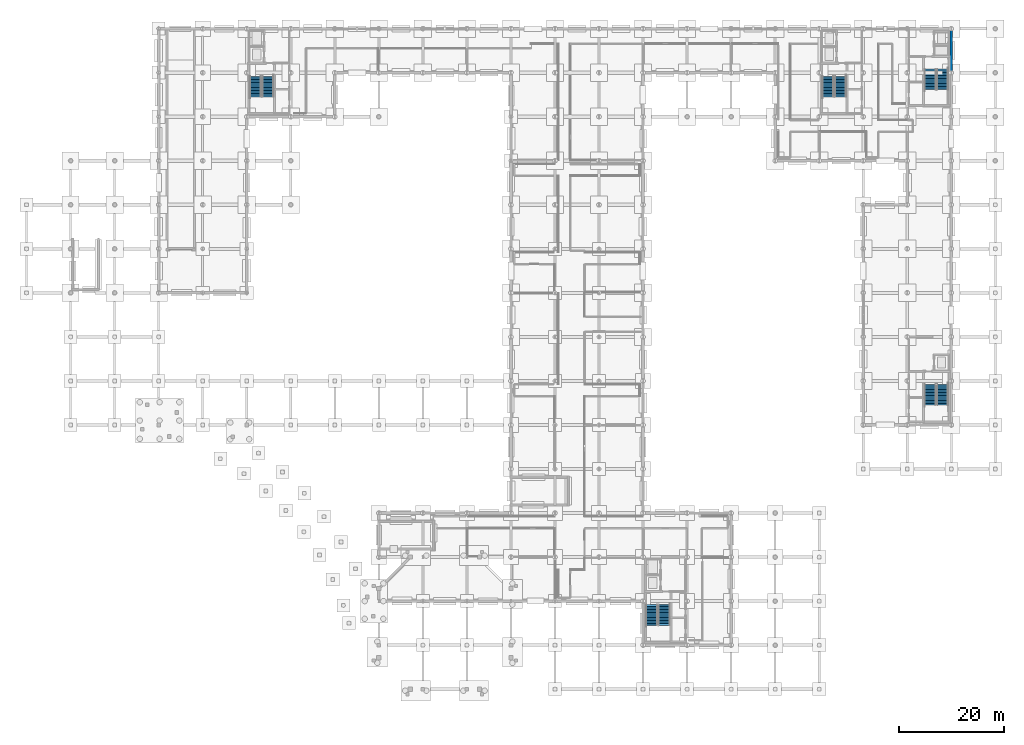
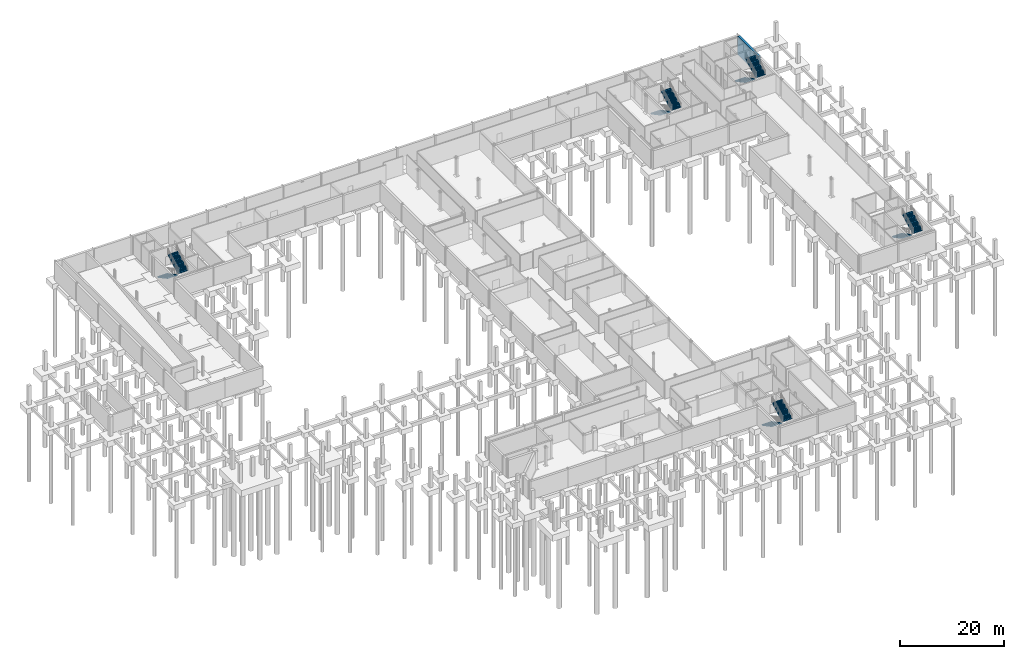
# One storey, part 34 of 43: 10 stair flights, 1 wall, 5 elements without a shape of their own.
"""IFC4 building model written with IfcOpenShell, lengths in metres."""

import ifcopenshell
import ifcopenshell.guid

model = None  # the IFC model being written
_history = None  # IfcOwnerHistory: only IFC2X3 demands one
_inside = {}  # id of a spatial element -> (the spatial element, [elements in it])
_under = {}  # id of a project, library or spatial element -> (it, [spatial elements below it])
_declared = {}  # id of a project -> (the project, [libraries it declares])
_typed = {}  # id of a type object -> (the type object, [elements of that type])
_made_of = {}  # id of a material, layer set ... -> (it, [elements and type objects made of it])


def new_model(schema):
    """Start an empty IFC model of exactly this schema.

    Asked for "IFC4X3", IfcOpenShell would pick the latest addendum, in which some entities
    have other attributes; the version numbers below select the first issue.
    IFC2X3 requires an IfcOwnerHistory on every rooted entity: one is made here for all.
    """
    global model, _history
    if schema == "IFC4X3":
        model = ifcopenshell.file(schema_version=(4, 3, 0, 0))
    else:
        model = ifcopenshell.file(schema=schema)
    _inside.clear()
    _under.clear()
    _declared.clear()
    _typed.clear()
    _made_of.clear()
    _history = None
    if model.schema == "IFC2X3":
        org = make("IfcOrganization", Name="unknown")
        user = make(
            "IfcPersonAndOrganization",
            ThePerson=make("IfcPerson", FamilyName="unknown"),
            TheOrganization=org,
        )
        app = make(
            "IfcApplication",
            ApplicationDeveloper=org,
            Version="unknown",
            ApplicationFullName="unknown",
            ApplicationIdentifier="unknown",
        )
        _history = make(
            "IfcOwnerHistory",
            OwningUser=user,
            OwningApplication=app,
            ChangeAction="ADDED",
            CreationDate=0,
        )
    return model


def make(cls, **values):
    """One entity of the class cls with the attributes given. An attribute that is None is left unset."""
    return model.create_entity(
        cls, **{name: value for name, value in values.items() if value is not None}
    )


def rooted(cls, **values):
    """An entity with a GlobalId (a new one), such as an element, a storey or a relation."""
    return make(cls, GlobalId=ifcopenshell.guid.new(), OwnerHistory=_history, **values)


def si_unit(unit_type, name, prefix=None):
    """IfcSIUnit, for example si_unit("LENGTHUNIT", "METRE", prefix="MILLI")."""
    return make("IfcSIUnit", UnitType=unit_type, Prefix=prefix, Name=name)


def assignment(units):
    """IfcUnitAssignment: the units of a project."""
    return None if units is None else make("IfcUnitAssignment", Units=units)


def point(xyz):
    """IfcCartesianPoint."""
    return None if xyz is None else make("IfcCartesianPoint", Coordinates=xyz)


def direction(xyz):
    """IfcDirection."""
    return None if xyz is None else make("IfcDirection", DirectionRatios=xyz)


def frame(location, z_axis=None, x_axis=None):
    """IfcAxis2Placement3D, a coordinate frame: its origin and axes. An axis left out is left unset."""
    return make(
        "IfcAxis2Placement3D",
        Location=point(location),
        Axis=direction(z_axis),
        RefDirection=direction(x_axis),
    )


def frame_2d(location, x_axis=None):
    """IfcAxis2Placement2D, a coordinate frame in the plane: its origin and x axis."""
    return make(
        "IfcAxis2Placement2D", Location=point(location), RefDirection=direction(x_axis)
    )


def origin():
    """The frame at (0, 0, 0) with its axes left unset."""
    return frame((0.0, 0.0, 0.0))


def place(relative_to, where):
    """IfcLocalPlacement: puts the frame where relative to a parent placement (None: the world)."""
    return make(
        "IfcLocalPlacement", PlacementRelTo=relative_to, RelativePlacement=where
    )


def context(
    kind, dimensions, precision=None, world=None, true_north=None, identifier=None
):
    """IfcGeometricRepresentationContext, for example the 3D "Model" context."""
    return make(
        "IfcGeometricRepresentationContext",
        ContextIdentifier=identifier,
        ContextType=kind,
        CoordinateSpaceDimension=dimensions,
        Precision=precision,
        WorldCoordinateSystem=world,
        TrueNorth=true_north,
    )


def subcontext(parent, identifier, kind, view, scale=None):
    """IfcGeometricRepresentationSubContext, for example "Body" below "Model"."""
    return make(
        "IfcGeometricRepresentationSubContext",
        ContextIdentifier=identifier,
        ContextType=kind,
        ParentContext=parent,
        TargetScale=scale,
        TargetView=view,
    )


def project(units=None, contexts=None):
    """IfcProject with its units and contexts."""
    return rooted(
        "IfcProject",
        Name="project",
        RepresentationContexts=contexts,
        UnitsInContext=assignment(units),
    )


def spatial(cls, under=None, at=None, **own):
    """A site, building, storey or space (cls), placed at a placement, below another one or the project."""
    s = rooted(cls, ObjectPlacement=at, **own)
    if under is not None:
        _under.setdefault(under.id(), (under, []))[1].append(s)
    return s


def polyline(points):
    """IfcPolyline through the points."""
    return make("IfcPolyline", Points=[point(p) for p in points])


def profile(cls, at=None, kind="AREA", **sizes):
    """A parametric profile (cls). Its sizes go by their IFC names, for example OverallWidth=200.0."""
    return make(cls, ProfileType=kind, Position=at, **sizes)


def rectangle(**sizes):
    """IfcRectangleProfileDef."""
    return profile("IfcRectangleProfileDef", **sizes)


def outline(outer, holes=None, kind="AREA"):
    """IfcArbitraryClosedProfileDef: a profile drawn as a closed curve; with holes, ...WithVoids."""
    if holes is None:
        return make("IfcArbitraryClosedProfileDef", ProfileType=kind, OuterCurve=outer)
    return make(
        "IfcArbitraryProfileDefWithVoids",
        ProfileType=kind,
        OuterCurve=outer,
        InnerCurves=holes,
    )


def extrude(swept, where, along, depth):
    """IfcExtrudedAreaSolid: the profile swept, set in the frame where, extruded along a direction by depth."""
    return make(
        "IfcExtrudedAreaSolid",
        SweptArea=swept,
        Position=where,
        ExtrudedDirection=direction(along),
        Depth=depth,
    )


def shape(context_of_items, identifier, shape_type, items):
    """IfcShapeRepresentation: the items that make up one representation, for example the "Body"."""
    return make(
        "IfcShapeRepresentation",
        ContextOfItems=context_of_items,
        RepresentationIdentifier=identifier,
        RepresentationType=shape_type,
        Items=items,
    )


def material(Name=None, Category=None):
    """IfcMaterial."""
    return make("IfcMaterial", Name=Name, Category=Category)


def layer(
    of_material, thickness, ventilated=None, Name=None, Category=None, Priority=None
):
    """IfcMaterialLayer: one layer of a wall or slab, of a material (None: an air gap)."""
    return make(
        "IfcMaterialLayer",
        Material=of_material,
        LayerThickness=thickness,
        IsVentilated=ventilated,
        Name=Name,
        Category=Category,
        Priority=Priority,
    )


def layer_set(layers, Name=None):
    """IfcMaterialLayerSet."""
    return make("IfcMaterialLayerSet", MaterialLayers=layers, LayerSetName=Name)


def made_of(thing, what):
    """Note that an element or type object is made of a material, layer set ...; save() writes the relation."""
    if what is not None:
        _made_of.setdefault(what.id(), (what, []))[1].append(thing)
    return thing


def type_object(cls, material=None, **own):
    """A type object (cls), such as IfcWallType, which elements share."""
    return made_of(rooted(cls, **own), material)


def element(
    cls,
    number,
    at=None,
    inside=None,
    cuts=None,
    type_object=None,
    material=None,
    context=None,
    identifier="Body",
    shape_type=None,
    held_by="IfcProductDefinitionShape",
    body=None,
    shapes=None,
    **own,
):
    """One element of the class cls, such as IfcWall. Its Tag is "e" and its number.

    at: its placement. inside: the storey or other place that contains it. cuts: it is an
    opening in that element (IfcRelVoidsElement). A single representation is given by context,
    identifier, shape_type and body (its items); several are given by shapes. held_by: the class
    of the entity that holds the representations. save() writes the other relations.
    """
    e = rooted(cls, Tag="e%d" % number, ObjectPlacement=at, **own)
    if body is not None:
        shapes = [shape(context, identifier, shape_type, body)]
    if shapes is not None:
        e.Representation = make(held_by, Representations=shapes)
    if inside is not None:
        _inside.setdefault(inside.id(), (inside, []))[1].append(e)
    if cuts is not None:
        rooted(
            "IfcRelVoidsElement", RelatingBuildingElement=cuts, RelatedOpeningElement=e
        )
    if type_object is not None:
        _typed.setdefault(type_object.id(), (type_object, []))[1].append(e)
    return made_of(e, material)


def aggregate(whole, parts):
    """IfcRelAggregates: a whole, such as a stair, and the parts it consists of."""
    return rooted("IfcRelAggregates", RelatingObject=whole, RelatedObjects=parts)


def save(model, path):
    """Write the relations noted so far, then the file.

    IfcRelAggregates (storeys below a building ...), IfcRelContainedInSpatialStructure (elements
    in a storey), IfcRelDefinesByType, IfcRelAssociatesMaterial and IfcRelDeclares: one each for
    every whole, place, type object, material and project.
    """
    for whole, parts in _under.values():
        aggregate(whole, parts)
    for where, things in _inside.values():
        rooted(
            "IfcRelContainedInSpatialStructure",
            RelatedElements=things,
            RelatingStructure=where,
        )
    for kind, things in _typed.values():
        rooted("IfcRelDefinesByType", RelatedObjects=things, RelatingType=kind)
    for what, things in _made_of.values():
        rooted("IfcRelAssociatesMaterial", RelatedObjects=things, RelatingMaterial=what)
    for by, libraries in _declared.values():
        rooted("IfcRelDeclares", RelatingContext=by, RelatedDefinitions=libraries)
    model.write(path)


model = new_model("IFC4")

# Units and contexts
model_context = context("Model", 3, precision=1e-05, world=origin(), true_north=direction((0.0, 1.0)))
body_context = subcontext(model_context, "Body", "Model", "MODEL_VIEW")
ifc_project = project(units=[si_unit("LENGTHUNIT", "METRE"), si_unit("AREAUNIT", "SQUARE_METRE"), si_unit("VOLUMEUNIT", "CUBIC_METRE"), si_unit("PLANEANGLEUNIT", "RADIAN"), si_unit("MASSUNIT", "GRAM", prefix="KILO")], contexts=[model_context])

# Site, building, storey
site_placement = place(None, origin())
site = spatial("IfcSite", under=ifc_project, at=site_placement, CompositionType="ELEMENT")
building_placement = place(site_placement, origin())
building = spatial("IfcBuilding", under=site, at=building_placement, Name="Mersafa Astral City Hall", CompositionType="ELEMENT")
storey_placement = place(building_placement, frame((0.0, 0.0, -4.5)))
storey = spatial("IfcBuildingStorey", under=building, at=storey_placement, Name="B1", CompositionType="ELEMENT", Elevation=-4.5)

# Wall
ifc_material = material(Name="Concrete C40/50", Category="concrete")
ifc_layer = layer(ifc_material, 0.5, Name="Concrete C40/50")
ifc_layer_set = layer_set([ifc_layer], Name="Concrete C40/50 — ENV-WAL-RET-500")
wall_type = type_object("IfcWallType", Name="ENV-WAL-RET-500", PredefinedType="USERDEFINED", material=ifc_layer_set)
wall_placement = place(storey_placement, frame((176.39990234375, 117.885009765625, 0.0), z_axis=(0.0, 0.0, 1.0), x_axis=(0.0, 1.0, 0.0)))
element("IfcWall", 1, at=wall_placement, inside=storey, type_object=wall_type, Name="B1 Perimeter retaining wall 38", ObjectType="RETAININGWALL", PredefinedType="USERDEFINED", context=body_context, shape_type="SweptSolid", body=[
    extrude(rectangle(XDim=7.830078125, YDim=0.5, at=frame_2d((3.9150390625, 0.0))), origin(), (0.0, 0.0, 1.0), 4.25),
])

# Stair, stair flights
stair_type = type_object("IfcStairType", Name="STAIR", PredefinedType="HALF_TURN_STAIR", material=ifc_material)
stair_1_placement = place(storey_placement, origin())
stair_1 = element("IfcStair", 2, at=stair_1_placement, inside=storey, type_object=stair_type, Name="B1 Protected Exit Stair ST1", PredefinedType="HALF_TURN_STAIR")
stair_flight_type = type_object("IfcStairFlightType", Name="STAIR-FLIGHT", PredefinedType="STRAIGHT", material=ifc_material)
stair_flight_1_placement = place(storey_placement, frame((152.8798828125, 116.89990234375, 0.0), z_axis=(0.0, 0.0, 1.0), x_axis=(0.0, -1.0, 0.0)))
stair_flight_1 = element("IfcStairFlight", 3, at=stair_flight_1_placement, type_object=stair_flight_type, Name="ST1 flight 1", NumberOfRisers=14, NumberOfTreads=13, PredefinedType="STRAIGHT", RiserHeight=0.160714286, TreadLength=0.3, context=body_context, shape_type="SweptSolid", body=[
    extrude(outline(polyline([(-0.008056640625, -0.02197265625), (-0.008056640625, -0.010498046875), (-0.008056640625, 0.000732421875), (-0.008056640625, 0.01220703125), (-0.008056640625, 0.023681640625), (-0.008056640625, 0.03515625), (-0.008056640625, 0.046630859375), (-0.008056640625, 0.057861328125), (-0.008056640625, 0.0693359375), (-0.008056640625, 0.080810546875), (-0.008056640625, 0.09228515625), (-0.008056640625, 0.103515625), (-0.008056640625, 0.114990234375), (-0.008056640625, 0.12646484375), (-0.008056640625, 0.137939453125), (-0.008056640625, 0.1494140625), (-0.008056640625, 0.16064453125), (0.300048828125, 0.16064453125), (0.300048828125, 0.321533203125), (0.60009765625, 0.321533203125), (0.60009765625, 0.482177734375), (0.89990234375, 0.482177734375), (0.89990234375, 0.642822265625), (1.199951171875, 0.642822265625), (1.199951171875, 0.803466796875), (1.5, 0.803466796875), (1.5, 0.96435546875), (1.800048828125, 0.96435546875), (1.800048828125, 1.125), (2.10009765625, 1.125), (2.10009765625, 1.28564453125), (2.39990234375, 1.28564453125), (2.39990234375, 1.446533203125), (2.699951171875, 1.446533203125), (2.699951171875, 1.607177734375), (3.0, 1.607177734375), (3.0, 1.767822265625), (3.300048828125, 1.767822265625), (3.300048828125, 1.928466796875), (3.60009765625, 1.928466796875), (3.60009765625, 2.08935546875), (3.89990234375, 2.08935546875), (3.89990234375, 2.25), (3.907958984375, 2.25), (3.907958984375, 2.229248046875), (3.907958984375, 2.208740234375), (3.907958984375, 2.18798828125), (3.907958984375, 2.167236328125), (3.907958984375, 2.146728515625), (3.907958984375, 2.1259765625), (3.907958984375, 2.105224609375), (3.907958984375, 2.084716796875), (3.907958984375, 2.06396484375), (3.907958984375, 2.043212890625), (3.907958984375, 2.022705078125), (3.907958984375, 2.001953125), (3.907958984375, 1.981201171875), (3.907958984375, 1.960693359375), (3.907958984375, 1.93994140625), (3.907958984375, 1.919189453125), (0.2763671875, -0.02197265625), (-0.008056640625, -0.02197265625)])), frame((0.0, 1.10009765625, 0.0), z_axis=(0.0, -1.0, 0.0), x_axis=(1.0, 0.0, 0.0)), (0.0, 0.0, 1.0), 2.199951171875),
])
stair_flight_2_placement = place(storey_placement, frame((155.239990234375, 113.0, 2.25), z_axis=(0.0, 0.0, 1.0), x_axis=(0.0, 1.0, 0.0)))
stair_flight_2 = element("IfcStairFlight", 4, at=stair_flight_2_placement, type_object=stair_flight_type, Name="ST1 flight 2", NumberOfRisers=14, NumberOfTreads=13, PredefinedType="STRAIGHT", RiserHeight=0.160714286, TreadLength=0.3, context=body_context, shape_type="SweptSolid", body=[
    extrude(outline(polyline([(-0.008056640625, -0.02197265625), (-0.008056640625, -0.010498046875), (-0.008056640625, 0.000732421875), (-0.008056640625, 0.01220703125), (-0.008056640625, 0.023681640625), (-0.008056640625, 0.03515625), (-0.008056640625, 0.046630859375), (-0.008056640625, 0.057861328125), (-0.008056640625, 0.0693359375), (-0.008056640625, 0.080810546875), (-0.008056640625, 0.09228515625), (-0.008056640625, 0.103515625), (-0.008056640625, 0.114990234375), (-0.008056640625, 0.12646484375), (-0.008056640625, 0.137939453125), (-0.008056640625, 0.1494140625), (-0.008056640625, 0.16064453125), (0.300048828125, 0.16064453125), (0.300048828125, 0.321533203125), (0.60009765625, 0.321533203125), (0.60009765625, 0.482177734375), (0.89990234375, 0.482177734375), (0.89990234375, 0.642822265625), (1.199951171875, 0.642822265625), (1.199951171875, 0.803466796875), (1.5, 0.803466796875), (1.5, 0.96435546875), (1.800048828125, 0.96435546875), (1.800048828125, 1.125), (2.10009765625, 1.125), (2.10009765625, 1.28564453125), (2.39990234375, 1.28564453125), (2.39990234375, 1.446533203125), (2.699951171875, 1.446533203125), (2.699951171875, 1.607177734375), (3.0, 1.607177734375), (3.0, 1.767822265625), (3.300048828125, 1.767822265625), (3.300048828125, 1.928466796875), (3.60009765625, 1.928466796875), (3.60009765625, 2.08935546875), (3.89990234375, 2.08935546875), (3.89990234375, 2.25), (3.907958984375, 2.25), (3.907958984375, 2.229248046875), (3.907958984375, 2.208740234375), (3.907958984375, 2.18798828125), (3.907958984375, 2.167236328125), (3.907958984375, 2.146728515625), (3.907958984375, 2.1259765625), (3.907958984375, 2.105224609375), (3.907958984375, 2.084716796875), (3.907958984375, 2.06396484375), (3.907958984375, 2.043212890625), (3.907958984375, 2.022705078125), (3.907958984375, 2.001953125), (3.907958984375, 1.981201171875), (3.907958984375, 1.960693359375), (3.907958984375, 1.93994140625), (3.907958984375, 1.919189453125), (0.2763671875, -0.02197265625), (-0.008056640625, -0.02197265625)])), frame((0.0, 1.10009765625, 0.0), z_axis=(0.0, -1.0, 0.0), x_axis=(1.0, 0.0, 0.0)), (0.0, 0.0, 1.0), 2.199951171875),
])
aggregate(stair_1, [stair_flight_1, stair_flight_2])

stair_2_placement = place(storey_placement, origin())
stair_2 = element("IfcStair", 5, at=stair_2_placement, inside=storey, type_object=stair_type, Name="B1 Protected Exit Stair ST2", PredefinedType="HALF_TURN_STAIR")
stair_flight_3_placement = place(storey_placement, frame((172.360107421875, 118.260009765625, 0.0), z_axis=(0.0, 0.0, 1.0), x_axis=(0.0, -1.0, 0.0)))
stair_flight_3 = element("IfcStairFlight", 6, at=stair_flight_3_placement, type_object=stair_flight_type, Name="ST2 flight 1", NumberOfRisers=14, NumberOfTreads=13, PredefinedType="STRAIGHT", RiserHeight=0.160714286, TreadLength=0.3, context=body_context, shape_type="SweptSolid", body=[
    extrude(outline(polyline([(-0.008056640625, -0.02197265625), (-0.008056640625, -0.010498046875), (-0.008056640625, 0.000732421875), (-0.008056640625, 0.01220703125), (-0.008056640625, 0.023681640625), (-0.008056640625, 0.03515625), (-0.008056640625, 0.046630859375), (-0.008056640625, 0.057861328125), (-0.008056640625, 0.0693359375), (-0.008056640625, 0.080810546875), (-0.008056640625, 0.09228515625), (-0.008056640625, 0.103515625), (-0.008056640625, 0.114990234375), (-0.008056640625, 0.12646484375), (-0.008056640625, 0.137939453125), (-0.008056640625, 0.1494140625), (-0.008056640625, 0.16064453125), (0.300048828125, 0.16064453125), (0.300048828125, 0.321533203125), (0.60009765625, 0.321533203125), (0.60009765625, 0.482177734375), (0.89990234375, 0.482177734375), (0.89990234375, 0.642822265625), (1.199951171875, 0.642822265625), (1.199951171875, 0.803466796875), (1.5, 0.803466796875), (1.5, 0.96435546875), (1.800048828125, 0.96435546875), (1.800048828125, 1.125), (2.10009765625, 1.125), (2.10009765625, 1.28564453125), (2.39990234375, 1.28564453125), (2.39990234375, 1.446533203125), (2.699951171875, 1.446533203125), (2.699951171875, 1.607177734375), (3.0, 1.607177734375), (3.0, 1.767822265625), (3.300048828125, 1.767822265625), (3.300048828125, 1.928466796875), (3.60009765625, 1.928466796875), (3.60009765625, 2.08935546875), (3.89990234375, 2.08935546875), (3.89990234375, 2.25), (3.907958984375, 2.25), (3.907958984375, 2.229248046875), (3.907958984375, 2.208740234375), (3.907958984375, 2.18798828125), (3.907958984375, 2.167236328125), (3.907958984375, 2.146728515625), (3.907958984375, 2.1259765625), (3.907958984375, 2.105224609375), (3.907958984375, 2.084716796875), (3.907958984375, 2.06396484375), (3.907958984375, 2.043212890625), (3.907958984375, 2.022705078125), (3.907958984375, 2.001953125), (3.907958984375, 1.981201171875), (3.907958984375, 1.960693359375), (3.907958984375, 1.93994140625), (3.907958984375, 1.919189453125), (0.2763671875, -0.02197265625), (-0.008056640625, -0.02197265625)])), frame((0.0, 1.10009765625, 0.0), z_axis=(0.0, -1.0, 0.0), x_axis=(1.0, 0.0, 0.0)), (0.0, 0.0, 1.0), 2.199951171875),
])
stair_flight_4_placement = place(storey_placement, frame((174.719970703125, 114.360107421875, 2.25), z_axis=(0.0, 0.0, 1.0), x_axis=(0.0, 1.0, 0.0)))
stair_flight_4 = element("IfcStairFlight", 7, at=stair_flight_4_placement, type_object=stair_flight_type, Name="ST2 flight 2", NumberOfRisers=14, NumberOfTreads=13, PredefinedType="STRAIGHT", RiserHeight=0.160714286, TreadLength=0.3, context=body_context, shape_type="SweptSolid", body=[
    extrude(outline(polyline([(-0.008056640625, -0.02197265625), (-0.008056640625, -0.010498046875), (-0.008056640625, 0.000732421875), (-0.008056640625, 0.01220703125), (-0.008056640625, 0.023681640625), (-0.008056640625, 0.03515625), (-0.008056640625, 0.046630859375), (-0.008056640625, 0.057861328125), (-0.008056640625, 0.0693359375), (-0.008056640625, 0.080810546875), (-0.008056640625, 0.09228515625), (-0.008056640625, 0.103515625), (-0.008056640625, 0.114990234375), (-0.008056640625, 0.12646484375), (-0.008056640625, 0.137939453125), (-0.008056640625, 0.1494140625), (-0.008056640625, 0.16064453125), (0.300048828125, 0.16064453125), (0.300048828125, 0.321533203125), (0.60009765625, 0.321533203125), (0.60009765625, 0.482177734375), (0.89990234375, 0.482177734375), (0.89990234375, 0.642822265625), (1.199951171875, 0.642822265625), (1.199951171875, 0.803466796875), (1.5, 0.803466796875), (1.5, 0.96435546875), (1.800048828125, 0.96435546875), (1.800048828125, 1.125), (2.10009765625, 1.125), (2.10009765625, 1.28564453125), (2.39990234375, 1.28564453125), (2.39990234375, 1.446533203125), (2.699951171875, 1.446533203125), (2.699951171875, 1.607177734375), (3.0, 1.607177734375), (3.0, 1.767822265625), (3.300048828125, 1.767822265625), (3.300048828125, 1.928466796875), (3.60009765625, 1.928466796875), (3.60009765625, 2.08935546875), (3.89990234375, 2.08935546875), (3.89990234375, 2.25), (3.907958984375, 2.25), (3.907958984375, 2.229248046875), (3.907958984375, 2.208740234375), (3.907958984375, 2.18798828125), (3.907958984375, 2.167236328125), (3.907958984375, 2.146728515625), (3.907958984375, 2.1259765625), (3.907958984375, 2.105224609375), (3.907958984375, 2.084716796875), (3.907958984375, 2.06396484375), (3.907958984375, 2.043212890625), (3.907958984375, 2.022705078125), (3.907958984375, 2.001953125), (3.907958984375, 1.981201171875), (3.907958984375, 1.960693359375), (3.907958984375, 1.93994140625), (3.907958984375, 1.919189453125), (0.2763671875, -0.02197265625), (-0.008056640625, -0.02197265625)])), frame((0.0, 1.10009765625, 0.0), z_axis=(0.0, -1.0, 0.0), x_axis=(1.0, 0.0, 0.0)), (0.0, 0.0, 1.0), 2.199951171875),
])
aggregate(stair_2, [stair_flight_3, stair_flight_4])

stair_3_placement = place(storey_placement, origin())
stair_3 = element("IfcStair", 8, at=stair_3_placement, inside=storey, type_object=stair_type, Name="B1 Protected Exit Stair ST3", PredefinedType="HALF_TURN_STAIR")
stair_flight_5_placement = place(storey_placement, frame((43.679931640625, 116.89990234375, 0.0), z_axis=(0.0, 0.0, 1.0), x_axis=(0.0, -1.0, 0.0)))
stair_flight_5 = element("IfcStairFlight", 9, at=stair_flight_5_placement, type_object=stair_flight_type, Name="ST3 flight 1", NumberOfRisers=14, NumberOfTreads=13, PredefinedType="STRAIGHT", RiserHeight=0.160714286, TreadLength=0.3, context=body_context, shape_type="SweptSolid", body=[
    extrude(outline(polyline([(-0.008056640625, -0.02197265625), (-0.008056640625, -0.010498046875), (-0.008056640625, 0.000732421875), (-0.008056640625, 0.01220703125), (-0.008056640625, 0.023681640625), (-0.008056640625, 0.03515625), (-0.008056640625, 0.046630859375), (-0.008056640625, 0.057861328125), (-0.008056640625, 0.0693359375), (-0.008056640625, 0.080810546875), (-0.008056640625, 0.09228515625), (-0.008056640625, 0.103515625), (-0.008056640625, 0.114990234375), (-0.008056640625, 0.12646484375), (-0.008056640625, 0.137939453125), (-0.008056640625, 0.1494140625), (-0.008056640625, 0.16064453125), (0.300048828125, 0.16064453125), (0.300048828125, 0.321533203125), (0.60009765625, 0.321533203125), (0.60009765625, 0.482177734375), (0.89990234375, 0.482177734375), (0.89990234375, 0.642822265625), (1.199951171875, 0.642822265625), (1.199951171875, 0.803466796875), (1.5, 0.803466796875), (1.5, 0.96435546875), (1.800048828125, 0.96435546875), (1.800048828125, 1.125), (2.10009765625, 1.125), (2.10009765625, 1.28564453125), (2.39990234375, 1.28564453125), (2.39990234375, 1.446533203125), (2.699951171875, 1.446533203125), (2.699951171875, 1.607177734375), (3.0, 1.607177734375), (3.0, 1.767822265625), (3.300048828125, 1.767822265625), (3.300048828125, 1.928466796875), (3.60009765625, 1.928466796875), (3.60009765625, 2.08935546875), (3.89990234375, 2.08935546875), (3.89990234375, 2.25), (3.907958984375, 2.25), (3.907958984375, 2.229248046875), (3.907958984375, 2.208740234375), (3.907958984375, 2.18798828125), (3.907958984375, 2.167236328125), (3.907958984375, 2.146728515625), (3.907958984375, 2.1259765625), (3.907958984375, 2.105224609375), (3.907958984375, 2.084716796875), (3.907958984375, 2.06396484375), (3.907958984375, 2.043212890625), (3.907958984375, 2.022705078125), (3.907958984375, 2.001953125), (3.907958984375, 1.981201171875), (3.907958984375, 1.960693359375), (3.907958984375, 1.93994140625), (3.907958984375, 1.919189453125), (0.2763671875, -0.02197265625), (-0.008056640625, -0.02197265625)])), frame((0.0, 1.10009765625, 0.0), z_axis=(0.0, -1.0, 0.0), x_axis=(1.0, 0.0, 0.0)), (0.0, 0.0, 1.0), 2.199951171875),
])
stair_flight_6_placement = place(storey_placement, frame((46.0400390625, 113.0, 2.25), z_axis=(0.0, 0.0, 1.0), x_axis=(0.0, 1.0, 0.0)))
stair_flight_6 = element("IfcStairFlight", 10, at=stair_flight_6_placement, type_object=stair_flight_type, Name="ST3 flight 2", NumberOfRisers=14, NumberOfTreads=13, PredefinedType="STRAIGHT", RiserHeight=0.160714286, TreadLength=0.3, context=body_context, shape_type="SweptSolid", body=[
    extrude(outline(polyline([(-0.008056640625, -0.02197265625), (-0.008056640625, -0.010498046875), (-0.008056640625, 0.000732421875), (-0.008056640625, 0.01220703125), (-0.008056640625, 0.023681640625), (-0.008056640625, 0.03515625), (-0.008056640625, 0.046630859375), (-0.008056640625, 0.057861328125), (-0.008056640625, 0.0693359375), (-0.008056640625, 0.080810546875), (-0.008056640625, 0.09228515625), (-0.008056640625, 0.103515625), (-0.008056640625, 0.114990234375), (-0.008056640625, 0.12646484375), (-0.008056640625, 0.137939453125), (-0.008056640625, 0.1494140625), (-0.008056640625, 0.16064453125), (0.300048828125, 0.16064453125), (0.300048828125, 0.321533203125), (0.60009765625, 0.321533203125), (0.60009765625, 0.482177734375), (0.89990234375, 0.482177734375), (0.89990234375, 0.642822265625), (1.199951171875, 0.642822265625), (1.199951171875, 0.803466796875), (1.5, 0.803466796875), (1.5, 0.96435546875), (1.800048828125, 0.96435546875), (1.800048828125, 1.125), (2.10009765625, 1.125), (2.10009765625, 1.28564453125), (2.39990234375, 1.28564453125), (2.39990234375, 1.446533203125), (2.699951171875, 1.446533203125), (2.699951171875, 1.607177734375), (3.0, 1.607177734375), (3.0, 1.767822265625), (3.300048828125, 1.767822265625), (3.300048828125, 1.928466796875), (3.60009765625, 1.928466796875), (3.60009765625, 2.08935546875), (3.89990234375, 2.08935546875), (3.89990234375, 2.25), (3.907958984375, 2.25), (3.907958984375, 2.229248046875), (3.907958984375, 2.208740234375), (3.907958984375, 2.18798828125), (3.907958984375, 2.167236328125), (3.907958984375, 2.146728515625), (3.907958984375, 2.1259765625), (3.907958984375, 2.105224609375), (3.907958984375, 2.084716796875), (3.907958984375, 2.06396484375), (3.907958984375, 2.043212890625), (3.907958984375, 2.022705078125), (3.907958984375, 2.001953125), (3.907958984375, 1.981201171875), (3.907958984375, 1.960693359375), (3.907958984375, 1.93994140625), (3.907958984375, 1.919189453125), (0.2763671875, -0.02197265625), (-0.008056640625, -0.02197265625)])), frame((0.0, 1.10009765625, 0.0), z_axis=(0.0, -1.0, 0.0), x_axis=(1.0, 0.0, 0.0)), (0.0, 0.0, 1.0), 2.199951171875),
])
aggregate(stair_3, [stair_flight_5, stair_flight_6])

stair_4_placement = place(storey_placement, origin())
stair_4 = element("IfcStair", 11, at=stair_4_placement, inside=storey, type_object=stair_type, Name="B1 Protected Exit Stair ST4", PredefinedType="HALF_TURN_STAIR")
stair_flight_7_placement = place(storey_placement, frame((172.360107421875, 58.10009765625, 0.0), z_axis=(0.0, 0.0, 1.0), x_axis=(0.0, -1.0, 0.0)))
stair_flight_7 = element("IfcStairFlight", 12, at=stair_flight_7_placement, type_object=stair_flight_type, Name="ST4 flight 1", NumberOfRisers=14, NumberOfTreads=13, PredefinedType="STRAIGHT", RiserHeight=0.160714286, TreadLength=0.3, context=body_context, shape_type="SweptSolid", body=[
    extrude(outline(polyline([(-0.008056640625, -0.02197265625), (-0.008056640625, -0.010498046875), (-0.008056640625, 0.000732421875), (-0.008056640625, 0.01220703125), (-0.008056640625, 0.023681640625), (-0.008056640625, 0.03515625), (-0.008056640625, 0.046630859375), (-0.008056640625, 0.057861328125), (-0.008056640625, 0.0693359375), (-0.008056640625, 0.080810546875), (-0.008056640625, 0.09228515625), (-0.008056640625, 0.103515625), (-0.008056640625, 0.114990234375), (-0.008056640625, 0.12646484375), (-0.008056640625, 0.137939453125), (-0.008056640625, 0.1494140625), (-0.008056640625, 0.16064453125), (0.300048828125, 0.16064453125), (0.300048828125, 0.321533203125), (0.60009765625, 0.321533203125), (0.60009765625, 0.482177734375), (0.89990234375, 0.482177734375), (0.89990234375, 0.642822265625), (1.199951171875, 0.642822265625), (1.199951171875, 0.803466796875), (1.5, 0.803466796875), (1.5, 0.96435546875), (1.800048828125, 0.96435546875), (1.800048828125, 1.125), (2.10009765625, 1.125), (2.10009765625, 1.28564453125), (2.39990234375, 1.28564453125), (2.39990234375, 1.446533203125), (2.699951171875, 1.446533203125), (2.699951171875, 1.607177734375), (3.0, 1.607177734375), (3.0, 1.767822265625), (3.300048828125, 1.767822265625), (3.300048828125, 1.928466796875), (3.60009765625, 1.928466796875), (3.60009765625, 2.08935546875), (3.89990234375, 2.08935546875), (3.89990234375, 2.25), (3.907958984375, 2.25), (3.907958984375, 2.229248046875), (3.907958984375, 2.208740234375), (3.907958984375, 2.18798828125), (3.907958984375, 2.167236328125), (3.907958984375, 2.146728515625), (3.907958984375, 2.1259765625), (3.907958984375, 2.105224609375), (3.907958984375, 2.084716796875), (3.907958984375, 2.06396484375), (3.907958984375, 2.043212890625), (3.907958984375, 2.022705078125), (3.907958984375, 2.001953125), (3.907958984375, 1.981201171875), (3.907958984375, 1.960693359375), (3.907958984375, 1.93994140625), (3.907958984375, 1.919189453125), (0.2763671875, -0.02197265625), (-0.008056640625, -0.02197265625)])), frame((0.0, 1.10009765625, 0.0), z_axis=(0.0, -1.0, 0.0), x_axis=(1.0, 0.0, 0.0)), (0.0, 0.0, 1.0), 2.199951171875),
])
stair_flight_8_placement = place(storey_placement, frame((174.719970703125, 54.199951171875, 2.25), z_axis=(0.0, 0.0, 1.0), x_axis=(0.0, 1.0, 0.0)))
stair_flight_8 = element("IfcStairFlight", 13, at=stair_flight_8_placement, type_object=stair_flight_type, Name="ST4 flight 2", NumberOfRisers=14, NumberOfTreads=13, PredefinedType="STRAIGHT", RiserHeight=0.160714286, TreadLength=0.3, context=body_context, shape_type="SweptSolid", body=[
    extrude(outline(polyline([(-0.008056640625, -0.02197265625), (-0.008056640625, -0.010498046875), (-0.008056640625, 0.000732421875), (-0.008056640625, 0.01220703125), (-0.008056640625, 0.023681640625), (-0.008056640625, 0.03515625), (-0.008056640625, 0.046630859375), (-0.008056640625, 0.057861328125), (-0.008056640625, 0.0693359375), (-0.008056640625, 0.080810546875), (-0.008056640625, 0.09228515625), (-0.008056640625, 0.103515625), (-0.008056640625, 0.114990234375), (-0.008056640625, 0.12646484375), (-0.008056640625, 0.137939453125), (-0.008056640625, 0.1494140625), (-0.008056640625, 0.16064453125), (0.300048828125, 0.16064453125), (0.300048828125, 0.321533203125), (0.60009765625, 0.321533203125), (0.60009765625, 0.482177734375), (0.89990234375, 0.482177734375), (0.89990234375, 0.642822265625), (1.199951171875, 0.642822265625), (1.199951171875, 0.803466796875), (1.5, 0.803466796875), (1.5, 0.96435546875), (1.800048828125, 0.96435546875), (1.800048828125, 1.125), (2.10009765625, 1.125), (2.10009765625, 1.28564453125), (2.39990234375, 1.28564453125), (2.39990234375, 1.446533203125), (2.699951171875, 1.446533203125), (2.699951171875, 1.607177734375), (3.0, 1.607177734375), (3.0, 1.767822265625), (3.300048828125, 1.767822265625), (3.300048828125, 1.928466796875), (3.60009765625, 1.928466796875), (3.60009765625, 2.08935546875), (3.89990234375, 2.08935546875), (3.89990234375, 2.25), (3.907958984375, 2.25), (3.907958984375, 2.229248046875), (3.907958984375, 2.208740234375), (3.907958984375, 2.18798828125), (3.907958984375, 2.167236328125), (3.907958984375, 2.146728515625), (3.907958984375, 2.1259765625), (3.907958984375, 2.105224609375), (3.907958984375, 2.084716796875), (3.907958984375, 2.06396484375), (3.907958984375, 2.043212890625), (3.907958984375, 2.022705078125), (3.907958984375, 2.001953125), (3.907958984375, 1.981201171875), (3.907958984375, 1.960693359375), (3.907958984375, 1.93994140625), (3.907958984375, 1.919189453125), (0.2763671875, -0.02197265625), (-0.008056640625, -0.02197265625)])), frame((0.0, 1.10009765625, 0.0), z_axis=(0.0, -1.0, 0.0), x_axis=(1.0, 0.0, 0.0)), (0.0, 0.0, 1.0), 2.199951171875),
])
aggregate(stair_4, [stair_flight_7, stair_flight_8])

stair_5_placement = place(storey_placement, origin())
stair_5 = element("IfcStair", 14, at=stair_5_placement, inside=storey, type_object=stair_type, Name="B1 Protected Exit Stair ST5", PredefinedType="HALF_TURN_STAIR")
stair_flight_9_placement = place(storey_placement, frame((119.280029296875, 16.10009765625, 0.0), z_axis=(0.0, 0.0, 1.0), x_axis=(0.0, -1.0, 0.0)))
stair_flight_9 = element("IfcStairFlight", 15, at=stair_flight_9_placement, type_object=stair_flight_type, Name="ST5 flight 1", NumberOfRisers=14, NumberOfTreads=13, PredefinedType="STRAIGHT", RiserHeight=0.160714286, TreadLength=0.3, context=body_context, shape_type="SweptSolid", body=[
    extrude(outline(polyline([(-0.008056640625, -0.02197265625), (-0.008056640625, -0.010498046875), (-0.008056640625, 0.000732421875), (-0.008056640625, 0.01220703125), (-0.008056640625, 0.023681640625), (-0.008056640625, 0.03515625), (-0.008056640625, 0.046630859375), (-0.008056640625, 0.057861328125), (-0.008056640625, 0.0693359375), (-0.008056640625, 0.080810546875), (-0.008056640625, 0.09228515625), (-0.008056640625, 0.103515625), (-0.008056640625, 0.114990234375), (-0.008056640625, 0.12646484375), (-0.008056640625, 0.137939453125), (-0.008056640625, 0.1494140625), (-0.008056640625, 0.16064453125), (0.300048828125, 0.16064453125), (0.300048828125, 0.321533203125), (0.60009765625, 0.321533203125), (0.60009765625, 0.482177734375), (0.89990234375, 0.482177734375), (0.89990234375, 0.642822265625), (1.199951171875, 0.642822265625), (1.199951171875, 0.803466796875), (1.5, 0.803466796875), (1.5, 0.96435546875), (1.800048828125, 0.96435546875), (1.800048828125, 1.125), (2.10009765625, 1.125), (2.10009765625, 1.28564453125), (2.39990234375, 1.28564453125), (2.39990234375, 1.446533203125), (2.699951171875, 1.446533203125), (2.699951171875, 1.607177734375), (3.0, 1.607177734375), (3.0, 1.767822265625), (3.300048828125, 1.767822265625), (3.300048828125, 1.928466796875), (3.60009765625, 1.928466796875), (3.60009765625, 2.08935546875), (3.89990234375, 2.08935546875), (3.89990234375, 2.25), (3.907958984375, 2.25), (3.907958984375, 2.229248046875), (3.907958984375, 2.208740234375), (3.907958984375, 2.18798828125), (3.907958984375, 2.167236328125), (3.907958984375, 2.146728515625), (3.907958984375, 2.1259765625), (3.907958984375, 2.105224609375), (3.907958984375, 2.084716796875), (3.907958984375, 2.06396484375), (3.907958984375, 2.043212890625), (3.907958984375, 2.022705078125), (3.907958984375, 2.001953125), (3.907958984375, 1.981201171875), (3.907958984375, 1.960693359375), (3.907958984375, 1.93994140625), (3.907958984375, 1.919189453125), (0.2763671875, -0.02197265625), (-0.008056640625, -0.02197265625)])), frame((0.0, 1.10009765625, 0.0), z_axis=(0.0, -1.0, 0.0), x_axis=(1.0, 0.0, 0.0)), (0.0, 0.0, 1.0), 2.199951171875),
])
stair_flight_10_placement = place(storey_placement, frame((121.639892578125, 12.199951171875, 2.25), z_axis=(0.0, 0.0, 1.0), x_axis=(0.0, 1.0, 0.0)))
stair_flight_10 = element("IfcStairFlight", 16, at=stair_flight_10_placement, type_object=stair_flight_type, Name="ST5 flight 2", NumberOfRisers=14, NumberOfTreads=13, PredefinedType="STRAIGHT", RiserHeight=0.160714286, TreadLength=0.3, context=body_context, shape_type="SweptSolid", body=[
    extrude(outline(polyline([(-0.008056640625, -0.02197265625), (-0.008056640625, -0.010498046875), (-0.008056640625, 0.000732421875), (-0.008056640625, 0.01220703125), (-0.008056640625, 0.023681640625), (-0.008056640625, 0.03515625), (-0.008056640625, 0.046630859375), (-0.008056640625, 0.057861328125), (-0.008056640625, 0.0693359375), (-0.008056640625, 0.080810546875), (-0.008056640625, 0.09228515625), (-0.008056640625, 0.103515625), (-0.008056640625, 0.114990234375), (-0.008056640625, 0.12646484375), (-0.008056640625, 0.137939453125), (-0.008056640625, 0.1494140625), (-0.008056640625, 0.16064453125), (0.300048828125, 0.16064453125), (0.300048828125, 0.321533203125), (0.60009765625, 0.321533203125), (0.60009765625, 0.482177734375), (0.89990234375, 0.482177734375), (0.89990234375, 0.642822265625), (1.199951171875, 0.642822265625), (1.199951171875, 0.803466796875), (1.5, 0.803466796875), (1.5, 0.96435546875), (1.800048828125, 0.96435546875), (1.800048828125, 1.125), (2.10009765625, 1.125), (2.10009765625, 1.28564453125), (2.39990234375, 1.28564453125), (2.39990234375, 1.446533203125), (2.699951171875, 1.446533203125), (2.699951171875, 1.607177734375), (3.0, 1.607177734375), (3.0, 1.767822265625), (3.300048828125, 1.767822265625), (3.300048828125, 1.928466796875), (3.60009765625, 1.928466796875), (3.60009765625, 2.08935546875), (3.89990234375, 2.08935546875), (3.89990234375, 2.25), (3.907958984375, 2.25), (3.907958984375, 2.229248046875), (3.907958984375, 2.208740234375), (3.907958984375, 2.18798828125), (3.907958984375, 2.167236328125), (3.907958984375, 2.146728515625), (3.907958984375, 2.1259765625), (3.907958984375, 2.105224609375), (3.907958984375, 2.084716796875), (3.907958984375, 2.06396484375), (3.907958984375, 2.043212890625), (3.907958984375, 2.022705078125), (3.907958984375, 2.001953125), (3.907958984375, 1.981201171875), (3.907958984375, 1.960693359375), (3.907958984375, 1.93994140625), (3.907958984375, 1.919189453125), (0.2763671875, -0.02197265625), (-0.008056640625, -0.02197265625)])), frame((0.0, 1.10009765625, 0.0), z_axis=(0.0, -1.0, 0.0), x_axis=(1.0, 0.0, 0.0)), (0.0, 0.0, 1.0), 2.199951171875),
])
aggregate(stair_5, [stair_flight_9, stair_flight_10])

save(model, "model.ifc")
